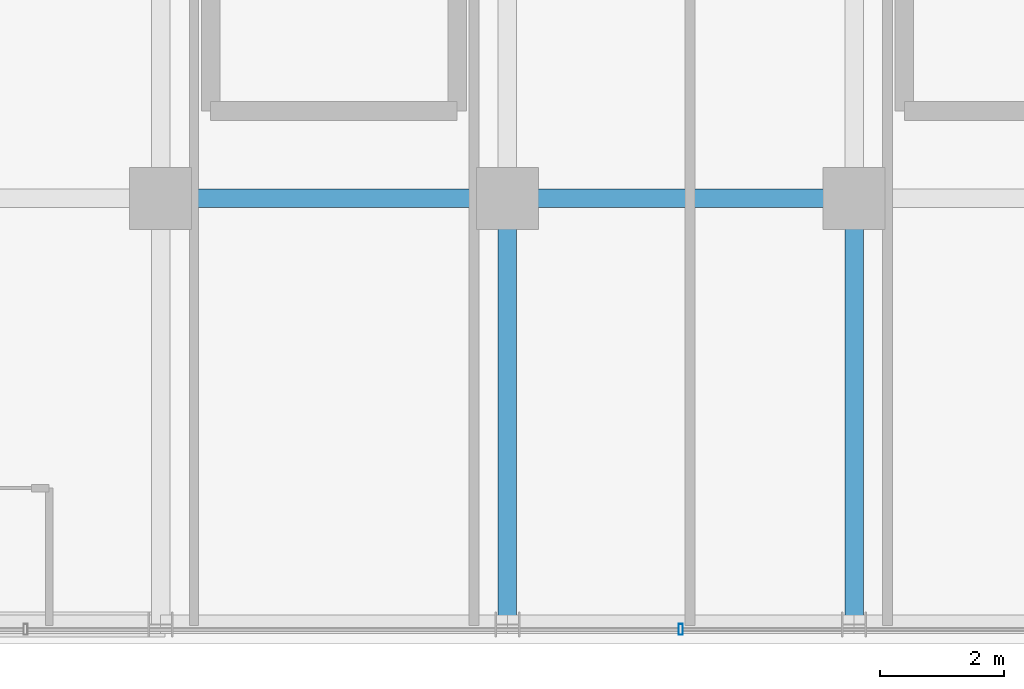
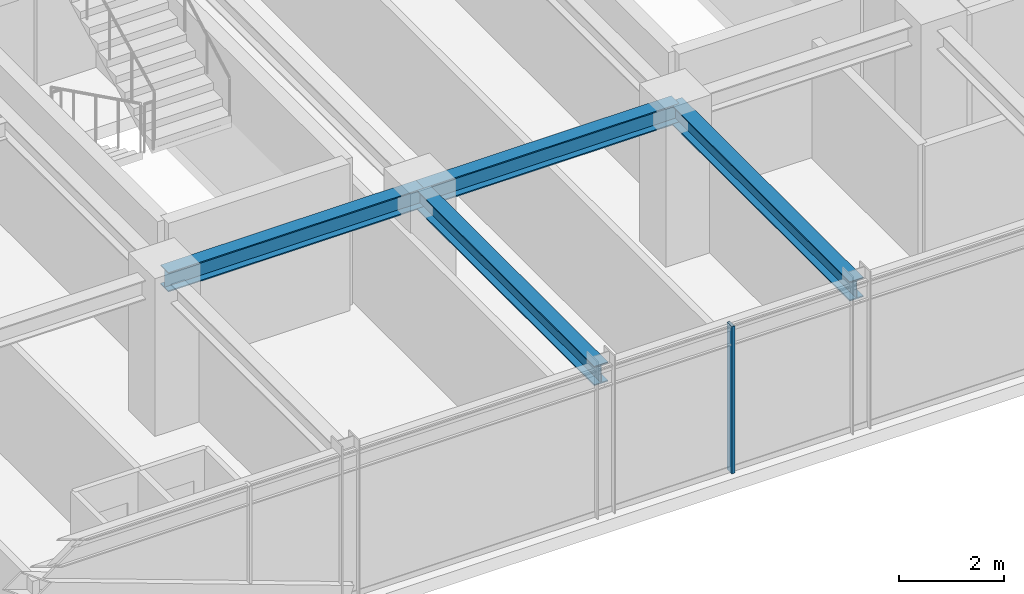
# One storey, part 8 of 43: 4 beams, 1 member, 1 element without a shape of its own.
"""IFC4 building model written with IfcOpenShell, lengths in metres."""

from ifc_helpers import new_model, si_unit, direction, frame, origin, origin_2d, place, context, subcontext, project, spatial, hollow_rectangle, i_section, extrude, source, transform, mapped, material, material_profile, profile_set, type_object, element, aggregate, save


model = new_model("IFC4")

# Units and contexts
model_context = context("Model", 3, precision=1e-05, world=origin(), true_north=direction((0.0, 1.0)))
body_context = subcontext(model_context, "Body", "Model", "MODEL_VIEW")
ifc_project = project(units=[si_unit("LENGTHUNIT", "METRE"), si_unit("AREAUNIT", "SQUARE_METRE"), si_unit("VOLUMEUNIT", "CUBIC_METRE"), si_unit("PLANEANGLEUNIT", "RADIAN"), si_unit("MASSUNIT", "GRAM", prefix="KILO")], contexts=[model_context])

# Site, building, storey
site_placement = place(None, origin())
site = spatial("IfcSite", under=ifc_project, at=site_placement, CompositionType="ELEMENT")
building_placement = place(site_placement, origin())
building = spatial("IfcBuilding", under=site, at=building_placement, Name="Nahalor Promenade Grand Hotel", CompositionType="ELEMENT")
storey_placement = place(building_placement, frame((0.0, 0.0, 204.89990234375)))
storey = spatial("IfcBuildingStorey", under=building, at=storey_placement, Name="L52", CompositionType="ELEMENT", Elevation=204.89990234375)

# Beams
ifc_material_1 = material(Name="Steel S355JR", Category="steel")
ifc_material_profile_1 = material_profile(ifc_material_1, i_section(OverallWidth=0.3, OverallDepth=0.45, WebThickness=0.014, FlangeThickness=0.026, at=origin_2d()), Name="HEB 450")
ifc_profile_set_1 = profile_set([ifc_material_profile_1], Name="Steel S355JR")
beam_type = type_object("IfcBeamType", Name="Beam-Girder-HEB450", PredefinedType="BEAM", material=ifc_profile_set_1)
shared_shape_1 = source(origin(), body_context, "Body", "SweptSolid", [
    extrude(i_section(OverallWidth=0.3, OverallDepth=0.45, WebThickness=0.014, FlangeThickness=0.026, at=origin_2d()), origin(), (0.0, 0.0, 1.0), 6.8798828125),
])
for number, where, z_axis, x_axis, name in (
    (1, (-2.800048828125, -23.8798828125, 3.18505859375), (0.0, 1.0, 0.0), (-1.0, 0.0, 0.0), "BM-L52-GY-2-0"),
    (2, (2.800048828125, -23.8798828125, 3.18505859375), (0.0, 1.0, 0.0), (-1.0, 0.0, 0.0), "BM-L52-GY-3-0"),
):
    element("IfcBeam", number, at=place(storey_placement, frame(where, z_axis=z_axis, x_axis=x_axis)), inside=storey, type_object=beam_type, Name=name, PredefinedType="BEAM", context=body_context, shape_type="MappedRepresentation", body=[
        mapped(shared_shape_1, transform((0.0, 0.0, 0.0), scale=1.0)),
    ])
shared_shape_2 = source(origin(), body_context, "Body", "SweptSolid", [
    extrude(i_section(OverallWidth=0.3, OverallDepth=0.45, WebThickness=0.014, FlangeThickness=0.026, at=origin_2d()), origin(), (0.0, 0.0, 1.0), 5.599853515625),
])
beam_1_placement = place(storey_placement, frame((-8.39990234375, -17.0, 3.18505859375), z_axis=(1.0, 0.0, 0.0), x_axis=(0.0, 1.0, 0.0)))
element("IfcBeam", 3, at=beam_1_placement, inside=storey, type_object=beam_type, Name="BM-L52-GX-0-2", PredefinedType="BEAM", context=body_context, shape_type="MappedRepresentation", body=[
    mapped(shared_shape_2, transform((0.0, 0.0, 0.0), scale=1.0)),
])
shared_shape_3 = source(origin(), body_context, "Body", "SweptSolid", [
    extrude(i_section(OverallWidth=0.3, OverallDepth=0.45, WebThickness=0.014, FlangeThickness=0.026, at=origin_2d()), origin(), (0.0, 0.0, 1.0), 5.60009765625),
])
beam_2_placement = place(storey_placement, frame((-2.800048828125, -17.0, 3.18505859375), z_axis=(1.0, 0.0, 0.0), x_axis=(0.0, 1.0, 0.0)))
element("IfcBeam", 4, at=beam_2_placement, inside=storey, type_object=beam_type, Name="BM-L52-GX-0-3", PredefinedType="BEAM", context=body_context, shape_type="MappedRepresentation", body=[
    mapped(shared_shape_3, transform((0.0, 0.0, 0.0), scale=1.0)),
])

# Curtain wall, member
ifc_material_2 = material(Name="Anodised Bronze Aluminium EN AW-6063 T6", Category="aluminium")
curtain_wall_type = type_object("IfcCurtainWallType", Name="CW2 Typical Hotel Flush Bronze Unitised Curtain Wall", PredefinedType="USERDEFINED", material=ifc_material_2)
curtain_wall_placement = place(storey_placement, origin())
curtain_wall = element("IfcCurtainWall", 5, at=curtain_wall_placement, inside=storey, type_object=curtain_wall_type, Name="L52 Curtain Wall CW-L52-S-1", ObjectType="UNITISED_CURTAIN_WALL", PredefinedType="USERDEFINED")
ifc_material_profile_2 = material_profile(ifc_material_2, hollow_rectangle(XDim=0.065, YDim=0.18, WallThickness=0.004, at=origin_2d()), Name="CWM 65x180x4")
ifc_profile_set_2 = profile_set([ifc_material_profile_2], Name="Anodised Bronze Aluminium EN AW-6063 T6")
member_type = type_object("IfcMemberType", Name="CWM2 Typical Bronze Mullion 65x180", PredefinedType="MULLION", material=ifc_profile_set_2)
shared_shape_4 = source(origin(), body_context, "Body", "SweptSolid", [
    extrude(hollow_rectangle(XDim=0.065, YDim=0.18, WallThickness=0.004, at=origin_2d()), origin(), (0.0, 0.0, 1.0), 3.41015625),
])
member_placement = place(storey_placement, frame((0.0, -23.9599609375, 0.0), z_axis=(0.0, 0.0, 1.0), x_axis=(1.0, 0.0, 0.0)))
member = element("IfcMember", 6, at=member_placement, type_object=member_type, Name="CW-L52-S-1 Mullion 2", PredefinedType="MULLION", context=body_context, shape_type="MappedRepresentation", body=[
    mapped(shared_shape_4, transform((0.0, 0.0, 0.0), scale=1.0)),
])
aggregate(curtain_wall, [member])

save(model, "model.ifc")
